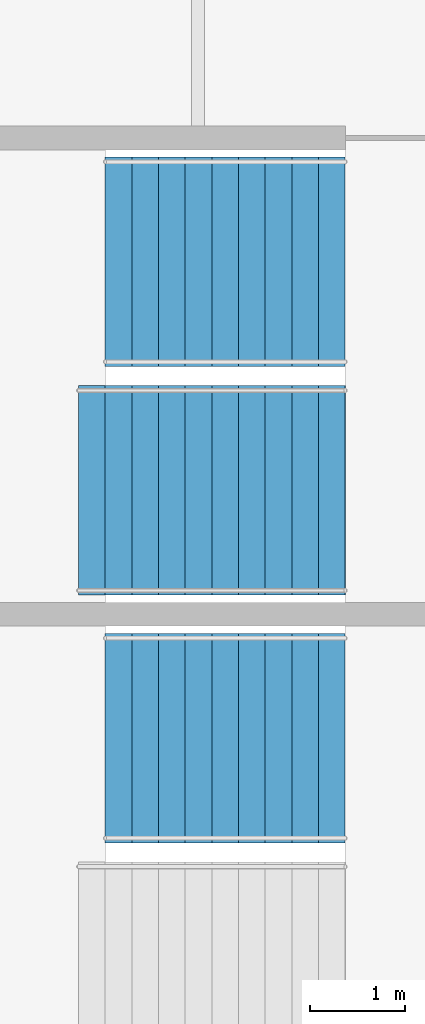
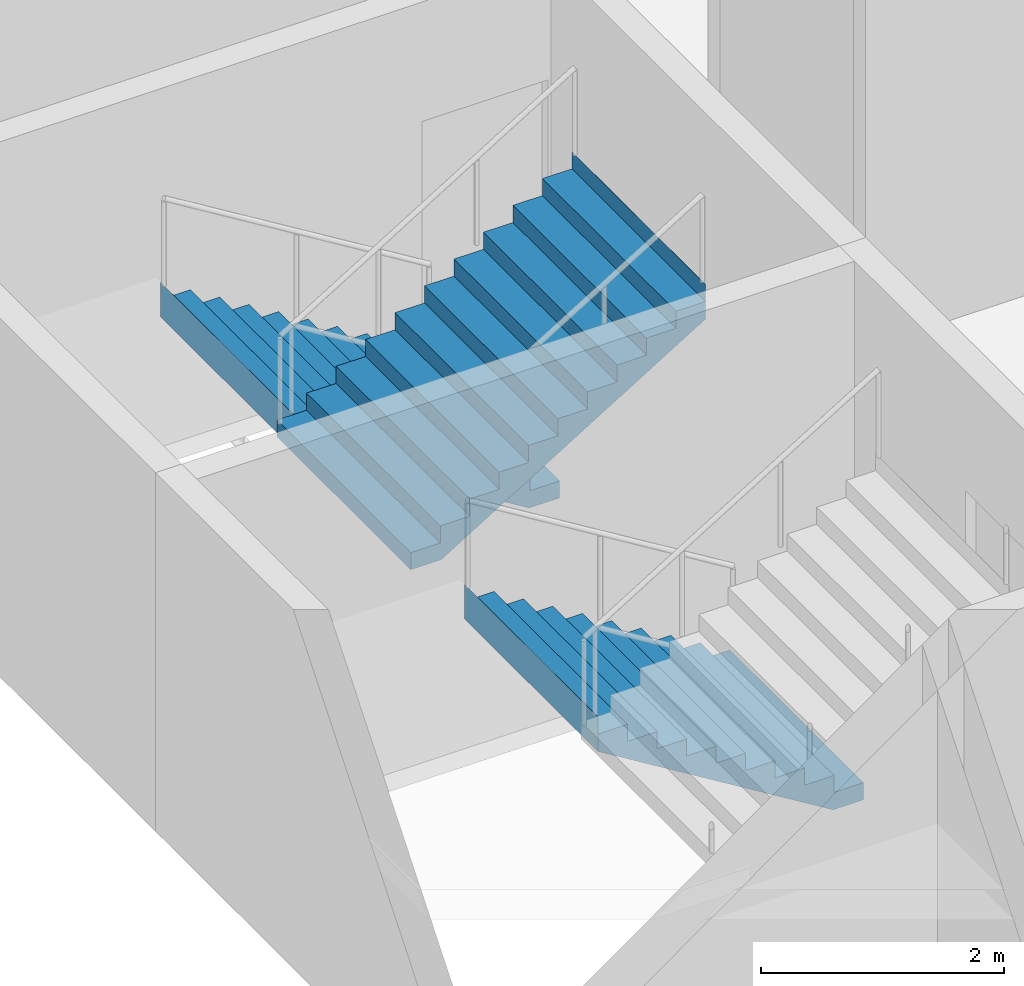
# One storey, part 63 of 90: 3 stair flights, 2 elements without a shape of their own.
"""IFC4 building model written with IfcOpenShell, lengths in metres."""

from ifc_helpers import new_model, si_unit, direction, frame, origin, place, context, subcontext, project, spatial, polyline, outline, extrude, material, type_object, element, aggregate, save


model = new_model("IFC4")

# Units and contexts
model_context = context("Model", 3, precision=1e-05, world=origin(), true_north=direction((0.0, 1.0)))
body_context = subcontext(model_context, "Body", "Model", "MODEL_VIEW")
ifc_project = project(units=[si_unit("LENGTHUNIT", "METRE"), si_unit("AREAUNIT", "SQUARE_METRE"), si_unit("VOLUMEUNIT", "CUBIC_METRE"), si_unit("PLANEANGLEUNIT", "RADIAN"), si_unit("MASSUNIT", "GRAM", prefix="KILO")], contexts=[model_context])

# Site, building, storey
site_placement = place(None, origin())
site = spatial("IfcSite", under=ifc_project, at=site_placement, CompositionType="ELEMENT")
building_placement = place(site_placement, origin())
building = spatial("IfcBuilding", under=site, at=building_placement, Name="Kupolbacken Congress Centre", CompositionType="ELEMENT")
storey_placement = place(building_placement, frame((0.0, 0.0, 3.60009765625)))
storey = spatial("IfcBuildingStorey", under=building, at=storey_placement, Name="L01", CompositionType="ELEMENT", Elevation=3.60009765625)

# Stair, stair flight
ifc_material_1 = material(Name="Concrete C30/37", Category="concrete")
stair_type = type_object("IfcStairType", Name="ST13 stair 2200", PredefinedType="TWO_STRAIGHT_RUN_STAIR", material=ifc_material_1)
stair_1_placement = place(storey_placement, origin())
stair_1 = element("IfcStair", 1, at=stair_1_placement, inside=storey, type_object=stair_type, Name="C/stair/PS1SW/L01", PredefinedType="NOTDEFINED")
ifc_material_2 = material(Name="Concrete C30/37", Category="concrete")
stair_flight_type_1 = type_object("IfcStairFlightType", Name="FL13 stair flight 2200 x 10 risers", PredefinedType="STRAIGHT", material=ifc_material_2)
stair_flight_1_placement = place(storey_placement, frame((12.344970703125, 54.10009765625, 0.0), z_axis=(0.0, 0.0, 1.0), x_axis=(-1.0, 0.0, 0.0)))
stair_flight_1 = element("IfcStairFlight", 2, at=stair_flight_1_placement, type_object=stair_flight_type_1, Name="PS1SW flight 1", NumberOfRisers=10, NumberOfTreads=9, PredefinedType="STRAIGHT", RiserHeight=0.171428571, TreadLength=0.28, context=body_context, shape_type="SweptSolid", body=[
    extrude(outline(polyline([(0.0, 0.0), (0.0, 0.0009765625), (0.0, 0.002197265625), (0.0, 0.003173828125), (0.0, 0.004150390625), (0.0, 0.00537109375), (0.0, 0.00634765625), (0.0, 0.007568359375), (0.0, 0.008544921875), (0.0, 0.009521484375), (0.0, 0.0107421875), (0.0, 0.01171875), (0.0, 0.0126953125), (0.0, 0.013916015625), (0.0, 0.014892578125), (0.0, 0.015869140625), (0.0, 0.01708984375), (0.0, 0.01806640625), (0.0, 0.019287109375), (0.0, 0.020263671875), (0.0, 0.021240234375), (0.0, 0.0224609375), (0.0, 0.0234375), (0.0, 0.0244140625), (0.0, 0.025634765625), (0.0, 0.026611328125), (0.0, 0.027587890625), (0.0, 0.02880859375), (0.0, 0.02978515625), (0.0, 0.03076171875), (0.0, 0.031982421875), (0.0, 0.032958984375), (0.0, 0.0341796875), (0.0, 0.03515625), (0.0, 0.0361328125), (0.0, 0.037353515625), (0.0, 0.038330078125), (0.0, 0.039306640625), (0.0, 0.04052734375), (0.0, 0.04150390625), (0.0, 0.04248046875), (0.0, 0.043701171875), (0.0, 0.044677734375), (0.0, 0.0458984375), (0.0, 0.046875), (0.0, 0.0478515625), (0.0, 0.049072265625), (0.0, 0.050048828125), (0.0, 0.051025390625), (0.0, 0.05224609375), (0.0, 0.05322265625), (0.0, 0.05419921875), (0.0, 0.055419921875), (0.0, 0.056396484375), (0.0, 0.0576171875), (0.0, 0.05859375), (0.0, 0.0595703125), (0.0, 0.060791015625), (0.0, 0.061767578125), (0.0, 0.062744140625), (0.0, 0.06396484375), (0.0, 0.06494140625), (0.0, 0.06591796875), (0.0, 0.067138671875), (0.0, 0.068115234375), (0.0, 0.069091796875), (0.0, 0.0703125), (0.0, 0.0712890625), (0.0, 0.072509765625), (0.0, 0.073486328125), (0.0, 0.074462890625), (0.0, 0.07568359375), (0.0, 0.07666015625), (0.0, 0.07763671875), (0.0, 0.078857421875), (0.0, 0.079833984375), (0.0, 0.080810546875), (0.0, 0.08203125), (0.0, 0.0830078125), (0.0, 0.084228515625), (0.0, 0.085205078125), (0.0, 0.086181640625), (0.0, 0.08740234375), (0.0, 0.08837890625), (0.0, 0.08935546875), (0.0, 0.090576171875), (0.0, 0.091552734375), (0.0, 0.092529296875), (0.0, 0.09375), (0.0, 0.0947265625), (0.0, 0.095947265625), (0.0, 0.096923828125), (0.0, 0.097900390625), (0.0, 0.09912109375), (0.0, 0.10009765625), (0.0, 0.10107421875), (0.0, 0.102294921875), (0.0, 0.103271484375), (0.0, 0.104248046875), (0.0, 0.10546875), (0.0, 0.1064453125), (0.0, 0.107421875), (0.0, 0.108642578125), (0.0, 0.109619140625), (0.0, 0.11083984375), (0.0, 0.11181640625), (0.0, 0.11279296875), (0.0, 0.114013671875), (0.0, 0.114990234375), (0.0, 0.115966796875), (0.0, 0.1171875), (0.0, 0.1181640625), (0.0, 0.119140625), (0.0, 0.120361328125), (0.0, 0.121337890625), (0.0, 0.12255859375), (0.0, 0.12353515625), (0.0, 0.12451171875), (0.0, 0.125732421875), (0.0, 0.126708984375), (0.0, 0.127685546875), (0.0, 0.12890625), (0.0, 0.1298828125), (0.0, 0.130859375), (0.0, 0.132080078125), (0.0, 0.133056640625), (0.0, 0.13427734375), (0.0, 0.13525390625), (0.0, 0.13623046875), (0.0, 0.137451171875), (0.0, 0.138427734375), (0.0, 0.139404296875), (0.0, 0.140625), (0.0, 0.1416015625), (0.0, 0.142578125), (0.0, 0.143798828125), (0.0, 0.144775390625), (0.0, 0.145751953125), (0.0, 0.14697265625), (0.0, 0.14794921875), (0.0, 0.149169921875), (0.0, 0.150146484375), (0.0, 0.151123046875), (0.0, 0.15234375), (0.0, 0.1533203125), (0.0, 0.154296875), (0.0, 0.155517578125), (0.0, 0.156494140625), (0.0, 0.157470703125), (0.0, 0.15869140625), (0.0, 0.15966796875), (0.0, 0.160888671875), (0.0, 0.161865234375), (0.0, 0.162841796875), (0.0, 0.1640625), (0.0, 0.1650390625), (0.0, 0.166015625), (0.0, 0.167236328125), (0.0, 0.168212890625), (0.0, 0.169189453125), (0.0, 0.17041015625), (0.0, 0.17138671875), (0.280029296875, 0.17138671875), (0.280029296875, 0.3427734375), (0.56005859375, 0.3427734375), (0.56005859375, 0.514404296875), (0.840087890625, 0.514404296875), (0.840087890625, 0.685791015625), (1.1201171875, 0.685791015625), (1.1201171875, 0.857177734375), (1.39990234375, 0.857177734375), (1.39990234375, 1.028564453125), (1.679931640625, 1.028564453125), (1.679931640625, 1.199951171875), (1.9599609375, 1.199951171875), (1.9599609375, 1.371337890625), (2.239990234375, 1.371337890625), (2.239990234375, 1.54296875), (2.52001953125, 1.54296875), (2.52001953125, 1.71435546875), (2.52197265625, 1.71435546875), (2.52197265625, 1.712158203125), (2.52197265625, 1.7099609375), (2.52197265625, 1.707763671875), (2.52197265625, 1.70556640625), (2.52197265625, 1.70361328125), (2.52197265625, 1.701416015625), (2.52197265625, 1.69921875), (2.52197265625, 1.697021484375), (2.52197265625, 1.69482421875), (2.52197265625, 1.692626953125), (2.52197265625, 1.690673828125), (2.52197265625, 1.6884765625), (2.52197265625, 1.686279296875), (2.52197265625, 1.68408203125), (2.52197265625, 1.681884765625), (2.52197265625, 1.6796875), (2.52197265625, 1.677734375), (2.52197265625, 1.675537109375), (2.52197265625, 1.67333984375), (2.52197265625, 1.671142578125), (2.52197265625, 1.6689453125), (2.52197265625, 1.666748046875), (2.52197265625, 1.664794921875), (2.52197265625, 1.66259765625), (2.52197265625, 1.660400390625), (2.52197265625, 1.658203125), (2.52197265625, 1.656005859375), (2.52197265625, 1.65380859375), (2.52197265625, 1.65185546875), (2.52197265625, 1.649658203125), (2.52197265625, 1.6474609375), (2.52197265625, 1.645263671875), (2.52197265625, 1.64306640625), (2.52197265625, 1.640869140625), (2.52197265625, 1.638916015625), (2.52197265625, 1.63671875), (2.52197265625, 1.634521484375), (2.52197265625, 1.63232421875), (2.52197265625, 1.630126953125), (2.52197265625, 1.6279296875), (2.52197265625, 1.6259765625), (2.52197265625, 1.623779296875), (2.52197265625, 1.62158203125), (2.52197265625, 1.619384765625), (2.52197265625, 1.6171875), (2.52197265625, 1.614990234375), (2.52197265625, 1.613037109375), (2.52197265625, 1.61083984375), (2.52197265625, 1.608642578125), (2.52197265625, 1.6064453125), (2.52197265625, 1.604248046875), (2.52197265625, 1.60205078125), (2.52197265625, 1.60009765625), (2.52197265625, 1.597900390625), (2.52197265625, 1.595703125), (2.52197265625, 1.593505859375), (2.52197265625, 1.59130859375), (2.52197265625, 1.589111328125), (2.52197265625, 1.587158203125), (2.52197265625, 1.5849609375), (2.52197265625, 1.582763671875), (2.52197265625, 1.58056640625), (2.52197265625, 1.578369140625), (2.52197265625, 1.576171875), (2.52197265625, 1.57421875), (2.52197265625, 1.572021484375), (2.52197265625, 1.56982421875), (2.52197265625, 1.567626953125), (2.52197265625, 1.5654296875), (2.52197265625, 1.563232421875), (2.52197265625, 1.561279296875), (2.52197265625, 1.55908203125), (2.52197265625, 1.556884765625), (2.52197265625, 1.5546875), (2.52197265625, 1.552490234375), (2.52197265625, 1.55029296875), (2.52197265625, 1.54833984375), (2.52197265625, 1.546142578125), (2.52197265625, 1.5439453125), (2.52197265625, 1.541748046875), (2.52197265625, 1.53955078125), (2.52197265625, 1.537353515625), (2.52197265625, 1.535400390625), (2.52197265625, 1.533203125), (2.52197265625, 1.531005859375), (2.52197265625, 1.52880859375), (2.52197265625, 1.526611328125), (2.52197265625, 1.5244140625), (2.52197265625, 1.5224609375), (2.52197265625, 1.520263671875), (2.52197265625, 1.51806640625), (2.52197265625, 1.515869140625), (2.52197265625, 1.513671875), (2.52197265625, 1.511474609375), (2.52197265625, 1.509521484375), (2.52197265625, 1.50732421875), (2.52197265625, 1.505126953125), (2.52197265625, 1.5029296875), (2.52197265625, 1.500732421875), (2.52197265625, 1.49853515625), (2.52197265625, 1.49658203125), (2.52197265625, 1.494384765625), (2.52197265625, 1.4921875), (2.52197265625, 1.489990234375), (2.52197265625, 1.48779296875), (2.52197265625, 1.485595703125), (2.52197265625, 1.483642578125), (2.52197265625, 1.4814453125), (2.52197265625, 1.479248046875), (2.52197265625, 1.47705078125), (2.52197265625, 1.474853515625), (2.52197265625, 1.47265625), (2.52197265625, 1.470703125), (2.52197265625, 1.468505859375), (2.52197265625, 1.46630859375), (2.52197265625, 1.464111328125), (2.52197265625, 1.4619140625), (2.52197265625, 1.459716796875), (2.52197265625, 1.457763671875), (2.52197265625, 1.45556640625), (2.52197265625, 1.453369140625), (2.52197265625, 1.451171875), (2.52197265625, 1.448974609375), (2.52197265625, 1.44677734375), (2.52197265625, 1.44482421875), (2.52197265625, 1.442626953125), (2.52197265625, 1.4404296875), (2.52197265625, 1.438232421875), (2.52197265625, 1.43603515625), (2.52197265625, 1.433837890625), (2.52197265625, 1.431884765625), (2.52197265625, 1.4296875), (2.52197265625, 1.427490234375), (2.52197265625, 1.42529296875), (2.52197265625, 1.423095703125), (2.52197265625, 1.4208984375), (2.52197265625, 1.4189453125), (2.52197265625, 1.416748046875), (2.52197265625, 1.41455078125), (2.52197265625, 1.412353515625), (2.52197265625, 1.41015625), (2.52197265625, 1.407958984375), (2.52197265625, 1.406005859375), (2.52197265625, 1.40380859375), (2.52197265625, 1.401611328125), (2.52197265625, 1.3994140625), (2.52197265625, 1.397216796875), (2.52197265625, 1.39501953125), (2.52197265625, 1.39306640625), (2.52197265625, 1.390869140625), (2.52197265625, 1.388671875), (2.52197265625, 1.386474609375), (2.52197265625, 1.38427734375), (2.52197265625, 1.382080078125), (2.52197265625, 1.380126953125), (2.52197265625, 1.3779296875), (2.52197265625, 1.375732421875), (2.52197265625, 1.37353515625), (2.52197265625, 1.371337890625), (2.52197265625, 1.369140625), (2.52197265625, 1.3671875), (0.2890625, 0.0), (0.0, 0.0)])), frame((0.0, 1.10009765625, 0.0), z_axis=(0.0, -1.0, 0.0), x_axis=(1.0, 0.0, 0.0)), (0.0, 0.0, 1.0), 2.199951171875),
])
aggregate(stair_1, [stair_flight_1])

# Stair, stair flights
stair_2_placement = place(storey_placement, origin())
stair_2 = element("IfcStair", 3, at=stair_2_placement, inside=storey, type_object=stair_type, Name="C/stair/PS2SW/L01", PredefinedType="NOTDEFINED")
stair_flight_2_placement = place(storey_placement, frame((12.344970703125, 59.10009765625, 0.0), z_axis=(0.0, 0.0, 1.0), x_axis=(-1.0, 0.0, 0.0)))
stair_flight_2 = element("IfcStairFlight", 4, at=stair_flight_2_placement, type_object=stair_flight_type_1, Name="PS2SW flight 1", NumberOfRisers=10, NumberOfTreads=9, PredefinedType="STRAIGHT", RiserHeight=0.171428571, TreadLength=0.28, context=body_context, shape_type="SweptSolid", body=[
    extrude(outline(polyline([(0.0, 0.0), (0.0, 0.0009765625), (0.0, 0.002197265625), (0.0, 0.003173828125), (0.0, 0.004150390625), (0.0, 0.00537109375), (0.0, 0.00634765625), (0.0, 0.007568359375), (0.0, 0.008544921875), (0.0, 0.009521484375), (0.0, 0.0107421875), (0.0, 0.01171875), (0.0, 0.0126953125), (0.0, 0.013916015625), (0.0, 0.014892578125), (0.0, 0.015869140625), (0.0, 0.01708984375), (0.0, 0.01806640625), (0.0, 0.019287109375), (0.0, 0.020263671875), (0.0, 0.021240234375), (0.0, 0.0224609375), (0.0, 0.0234375), (0.0, 0.0244140625), (0.0, 0.025634765625), (0.0, 0.026611328125), (0.0, 0.027587890625), (0.0, 0.02880859375), (0.0, 0.02978515625), (0.0, 0.03076171875), (0.0, 0.031982421875), (0.0, 0.032958984375), (0.0, 0.0341796875), (0.0, 0.03515625), (0.0, 0.0361328125), (0.0, 0.037353515625), (0.0, 0.038330078125), (0.0, 0.039306640625), (0.0, 0.04052734375), (0.0, 0.04150390625), (0.0, 0.04248046875), (0.0, 0.043701171875), (0.0, 0.044677734375), (0.0, 0.0458984375), (0.0, 0.046875), (0.0, 0.0478515625), (0.0, 0.049072265625), (0.0, 0.050048828125), (0.0, 0.051025390625), (0.0, 0.05224609375), (0.0, 0.05322265625), (0.0, 0.05419921875), (0.0, 0.055419921875), (0.0, 0.056396484375), (0.0, 0.0576171875), (0.0, 0.05859375), (0.0, 0.0595703125), (0.0, 0.060791015625), (0.0, 0.061767578125), (0.0, 0.062744140625), (0.0, 0.06396484375), (0.0, 0.06494140625), (0.0, 0.06591796875), (0.0, 0.067138671875), (0.0, 0.068115234375), (0.0, 0.069091796875), (0.0, 0.0703125), (0.0, 0.0712890625), (0.0, 0.072509765625), (0.0, 0.073486328125), (0.0, 0.074462890625), (0.0, 0.07568359375), (0.0, 0.07666015625), (0.0, 0.07763671875), (0.0, 0.078857421875), (0.0, 0.079833984375), (0.0, 0.080810546875), (0.0, 0.08203125), (0.0, 0.0830078125), (0.0, 0.084228515625), (0.0, 0.085205078125), (0.0, 0.086181640625), (0.0, 0.08740234375), (0.0, 0.08837890625), (0.0, 0.08935546875), (0.0, 0.090576171875), (0.0, 0.091552734375), (0.0, 0.092529296875), (0.0, 0.09375), (0.0, 0.0947265625), (0.0, 0.095947265625), (0.0, 0.096923828125), (0.0, 0.097900390625), (0.0, 0.09912109375), (0.0, 0.10009765625), (0.0, 0.10107421875), (0.0, 0.102294921875), (0.0, 0.103271484375), (0.0, 0.104248046875), (0.0, 0.10546875), (0.0, 0.1064453125), (0.0, 0.107421875), (0.0, 0.108642578125), (0.0, 0.109619140625), (0.0, 0.11083984375), (0.0, 0.11181640625), (0.0, 0.11279296875), (0.0, 0.114013671875), (0.0, 0.114990234375), (0.0, 0.115966796875), (0.0, 0.1171875), (0.0, 0.1181640625), (0.0, 0.119140625), (0.0, 0.120361328125), (0.0, 0.121337890625), (0.0, 0.12255859375), (0.0, 0.12353515625), (0.0, 0.12451171875), (0.0, 0.125732421875), (0.0, 0.126708984375), (0.0, 0.127685546875), (0.0, 0.12890625), (0.0, 0.1298828125), (0.0, 0.130859375), (0.0, 0.132080078125), (0.0, 0.133056640625), (0.0, 0.13427734375), (0.0, 0.13525390625), (0.0, 0.13623046875), (0.0, 0.137451171875), (0.0, 0.138427734375), (0.0, 0.139404296875), (0.0, 0.140625), (0.0, 0.1416015625), (0.0, 0.142578125), (0.0, 0.143798828125), (0.0, 0.144775390625), (0.0, 0.145751953125), (0.0, 0.14697265625), (0.0, 0.14794921875), (0.0, 0.149169921875), (0.0, 0.150146484375), (0.0, 0.151123046875), (0.0, 0.15234375), (0.0, 0.1533203125), (0.0, 0.154296875), (0.0, 0.155517578125), (0.0, 0.156494140625), (0.0, 0.157470703125), (0.0, 0.15869140625), (0.0, 0.15966796875), (0.0, 0.160888671875), (0.0, 0.161865234375), (0.0, 0.162841796875), (0.0, 0.1640625), (0.0, 0.1650390625), (0.0, 0.166015625), (0.0, 0.167236328125), (0.0, 0.168212890625), (0.0, 0.169189453125), (0.0, 0.17041015625), (0.0, 0.17138671875), (0.280029296875, 0.17138671875), (0.280029296875, 0.3427734375), (0.56005859375, 0.3427734375), (0.56005859375, 0.514404296875), (0.840087890625, 0.514404296875), (0.840087890625, 0.685791015625), (1.1201171875, 0.685791015625), (1.1201171875, 0.857177734375), (1.39990234375, 0.857177734375), (1.39990234375, 1.028564453125), (1.679931640625, 1.028564453125), (1.679931640625, 1.199951171875), (1.9599609375, 1.199951171875), (1.9599609375, 1.371337890625), (2.239990234375, 1.371337890625), (2.239990234375, 1.54296875), (2.52001953125, 1.54296875), (2.52001953125, 1.71435546875), (2.52197265625, 1.71435546875), (2.52197265625, 1.712158203125), (2.52197265625, 1.7099609375), (2.52197265625, 1.707763671875), (2.52197265625, 1.70556640625), (2.52197265625, 1.70361328125), (2.52197265625, 1.701416015625), (2.52197265625, 1.69921875), (2.52197265625, 1.697021484375), (2.52197265625, 1.69482421875), (2.52197265625, 1.692626953125), (2.52197265625, 1.690673828125), (2.52197265625, 1.6884765625), (2.52197265625, 1.686279296875), (2.52197265625, 1.68408203125), (2.52197265625, 1.681884765625), (2.52197265625, 1.6796875), (2.52197265625, 1.677734375), (2.52197265625, 1.675537109375), (2.52197265625, 1.67333984375), (2.52197265625, 1.671142578125), (2.52197265625, 1.6689453125), (2.52197265625, 1.666748046875), (2.52197265625, 1.664794921875), (2.52197265625, 1.66259765625), (2.52197265625, 1.660400390625), (2.52197265625, 1.658203125), (2.52197265625, 1.656005859375), (2.52197265625, 1.65380859375), (2.52197265625, 1.65185546875), (2.52197265625, 1.649658203125), (2.52197265625, 1.6474609375), (2.52197265625, 1.645263671875), (2.52197265625, 1.64306640625), (2.52197265625, 1.640869140625), (2.52197265625, 1.638916015625), (2.52197265625, 1.63671875), (2.52197265625, 1.634521484375), (2.52197265625, 1.63232421875), (2.52197265625, 1.630126953125), (2.52197265625, 1.6279296875), (2.52197265625, 1.6259765625), (2.52197265625, 1.623779296875), (2.52197265625, 1.62158203125), (2.52197265625, 1.619384765625), (2.52197265625, 1.6171875), (2.52197265625, 1.614990234375), (2.52197265625, 1.613037109375), (2.52197265625, 1.61083984375), (2.52197265625, 1.608642578125), (2.52197265625, 1.6064453125), (2.52197265625, 1.604248046875), (2.52197265625, 1.60205078125), (2.52197265625, 1.60009765625), (2.52197265625, 1.597900390625), (2.52197265625, 1.595703125), (2.52197265625, 1.593505859375), (2.52197265625, 1.59130859375), (2.52197265625, 1.589111328125), (2.52197265625, 1.587158203125), (2.52197265625, 1.5849609375), (2.52197265625, 1.582763671875), (2.52197265625, 1.58056640625), (2.52197265625, 1.578369140625), (2.52197265625, 1.576171875), (2.52197265625, 1.57421875), (2.52197265625, 1.572021484375), (2.52197265625, 1.56982421875), (2.52197265625, 1.567626953125), (2.52197265625, 1.5654296875), (2.52197265625, 1.563232421875), (2.52197265625, 1.561279296875), (2.52197265625, 1.55908203125), (2.52197265625, 1.556884765625), (2.52197265625, 1.5546875), (2.52197265625, 1.552490234375), (2.52197265625, 1.55029296875), (2.52197265625, 1.54833984375), (2.52197265625, 1.546142578125), (2.52197265625, 1.5439453125), (2.52197265625, 1.541748046875), (2.52197265625, 1.53955078125), (2.52197265625, 1.537353515625), (2.52197265625, 1.535400390625), (2.52197265625, 1.533203125), (2.52197265625, 1.531005859375), (2.52197265625, 1.52880859375), (2.52197265625, 1.526611328125), (2.52197265625, 1.5244140625), (2.52197265625, 1.5224609375), (2.52197265625, 1.520263671875), (2.52197265625, 1.51806640625), (2.52197265625, 1.515869140625), (2.52197265625, 1.513671875), (2.52197265625, 1.511474609375), (2.52197265625, 1.509521484375), (2.52197265625, 1.50732421875), (2.52197265625, 1.505126953125), (2.52197265625, 1.5029296875), (2.52197265625, 1.500732421875), (2.52197265625, 1.49853515625), (2.52197265625, 1.49658203125), (2.52197265625, 1.494384765625), (2.52197265625, 1.4921875), (2.52197265625, 1.489990234375), (2.52197265625, 1.48779296875), (2.52197265625, 1.485595703125), (2.52197265625, 1.483642578125), (2.52197265625, 1.4814453125), (2.52197265625, 1.479248046875), (2.52197265625, 1.47705078125), (2.52197265625, 1.474853515625), (2.52197265625, 1.47265625), (2.52197265625, 1.470703125), (2.52197265625, 1.468505859375), (2.52197265625, 1.46630859375), (2.52197265625, 1.464111328125), (2.52197265625, 1.4619140625), (2.52197265625, 1.459716796875), (2.52197265625, 1.457763671875), (2.52197265625, 1.45556640625), (2.52197265625, 1.453369140625), (2.52197265625, 1.451171875), (2.52197265625, 1.448974609375), (2.52197265625, 1.44677734375), (2.52197265625, 1.44482421875), (2.52197265625, 1.442626953125), (2.52197265625, 1.4404296875), (2.52197265625, 1.438232421875), (2.52197265625, 1.43603515625), (2.52197265625, 1.433837890625), (2.52197265625, 1.431884765625), (2.52197265625, 1.4296875), (2.52197265625, 1.427490234375), (2.52197265625, 1.42529296875), (2.52197265625, 1.423095703125), (2.52197265625, 1.4208984375), (2.52197265625, 1.4189453125), (2.52197265625, 1.416748046875), (2.52197265625, 1.41455078125), (2.52197265625, 1.412353515625), (2.52197265625, 1.41015625), (2.52197265625, 1.407958984375), (2.52197265625, 1.406005859375), (2.52197265625, 1.40380859375), (2.52197265625, 1.401611328125), (2.52197265625, 1.3994140625), (2.52197265625, 1.397216796875), (2.52197265625, 1.39501953125), (2.52197265625, 1.39306640625), (2.52197265625, 1.390869140625), (2.52197265625, 1.388671875), (2.52197265625, 1.386474609375), (2.52197265625, 1.38427734375), (2.52197265625, 1.382080078125), (2.52197265625, 1.380126953125), (2.52197265625, 1.3779296875), (2.52197265625, 1.375732421875), (2.52197265625, 1.37353515625), (2.52197265625, 1.371337890625), (2.52197265625, 1.369140625), (2.52197265625, 1.3671875), (0.2890625, 0.0), (0.0, 0.0)])), frame((0.0, 1.10009765625, 0.0), z_axis=(0.0, -1.0, 0.0), x_axis=(1.0, 0.0, 0.0)), (0.0, 0.0, 1.0), 2.199951171875),
])
ifc_material_3 = material(Name="Concrete C30/37", Category="concrete")
stair_flight_type_2 = type_object("IfcStairFlightType", Name="FL14 stair flight 2200 x 11 risers", PredefinedType="STRAIGHT", material=ifc_material_3)
stair_flight_3_placement = place(storey_placement, frame((9.544921875, 56.699951171875, 1.714111328125), z_axis=(0.0, 0.0, 1.0), x_axis=(1.0, 0.0, 0.0)))
stair_flight_3 = element("IfcStairFlight", 5, at=stair_flight_3_placement, type_object=stair_flight_type_2, Name="PS2SW flight 2", NumberOfRisers=11, NumberOfTreads=10, PredefinedType="STRAIGHT", RiserHeight=0.171428571, TreadLength=0.28, context=body_context, shape_type="SweptSolid", body=[
    extrude(outline(polyline([(0.0, 0.0), (0.0, 0.0009765625), (0.0, 0.002197265625), (0.0, 0.003173828125), (0.0, 0.004150390625), (0.0, 0.00537109375), (0.0, 0.00634765625), (0.0, 0.007568359375), (0.0, 0.008544921875), (0.0, 0.009521484375), (0.0, 0.0107421875), (0.0, 0.01171875), (0.0, 0.0126953125), (0.0, 0.013916015625), (0.0, 0.014892578125), (0.0, 0.015869140625), (0.0, 0.01708984375), (0.0, 0.01806640625), (0.0, 0.019287109375), (0.0, 0.020263671875), (0.0, 0.021240234375), (0.0, 0.0224609375), (0.0, 0.0234375), (0.0, 0.0244140625), (0.0, 0.025634765625), (0.0, 0.026611328125), (0.0, 0.027587890625), (0.0, 0.02880859375), (0.0, 0.02978515625), (0.0, 0.03076171875), (0.0, 0.031982421875), (0.0, 0.032958984375), (0.0, 0.0341796875), (0.0, 0.03515625), (0.0, 0.0361328125), (0.0, 0.037353515625), (0.0, 0.038330078125), (0.0, 0.039306640625), (0.0, 0.04052734375), (0.0, 0.04150390625), (0.0, 0.04248046875), (0.0, 0.043701171875), (0.0, 0.044677734375), (0.0, 0.0458984375), (0.0, 0.046875), (0.0, 0.0478515625), (0.0, 0.049072265625), (0.0, 0.050048828125), (0.0, 0.051025390625), (0.0, 0.05224609375), (0.0, 0.05322265625), (0.0, 0.05419921875), (0.0, 0.055419921875), (0.0, 0.056396484375), (0.0, 0.0576171875), (0.0, 0.05859375), (0.0, 0.0595703125), (0.0, 0.060791015625), (0.0, 0.061767578125), (0.0, 0.062744140625), (0.0, 0.06396484375), (0.0, 0.06494140625), (0.0, 0.06591796875), (0.0, 0.067138671875), (0.0, 0.068115234375), (0.0, 0.069091796875), (0.0, 0.0703125), (0.0, 0.0712890625), (0.0, 0.072509765625), (0.0, 0.073486328125), (0.0, 0.074462890625), (0.0, 0.07568359375), (0.0, 0.07666015625), (0.0, 0.07763671875), (0.0, 0.078857421875), (0.0, 0.079833984375), (0.0, 0.080810546875), (0.0, 0.08203125), (0.0, 0.0830078125), (0.0, 0.084228515625), (0.0, 0.085205078125), (0.0, 0.086181640625), (0.0, 0.08740234375), (0.0, 0.08837890625), (0.0, 0.08935546875), (0.0, 0.090576171875), (0.0, 0.091552734375), (0.0, 0.092529296875), (0.0, 0.09375), (0.0, 0.0947265625), (0.0, 0.095947265625), (0.0, 0.096923828125), (0.0, 0.097900390625), (0.0, 0.09912109375), (0.0, 0.10009765625), (0.0, 0.10107421875), (0.0, 0.102294921875), (0.0, 0.103271484375), (0.0, 0.104248046875), (0.0, 0.10546875), (0.0, 0.1064453125), (0.0, 0.107421875), (0.0, 0.108642578125), (0.0, 0.109619140625), (0.0, 0.11083984375), (0.0, 0.11181640625), (0.0, 0.11279296875), (0.0, 0.114013671875), (0.0, 0.114990234375), (0.0, 0.115966796875), (0.0, 0.1171875), (0.0, 0.1181640625), (0.0, 0.119140625), (0.0, 0.120361328125), (0.0, 0.121337890625), (0.0, 0.12255859375), (0.0, 0.12353515625), (0.0, 0.12451171875), (0.0, 0.125732421875), (0.0, 0.126708984375), (0.0, 0.127685546875), (0.0, 0.12890625), (0.0, 0.1298828125), (0.0, 0.130859375), (0.0, 0.132080078125), (0.0, 0.133056640625), (0.0, 0.13427734375), (0.0, 0.13525390625), (0.0, 0.13623046875), (0.0, 0.137451171875), (0.0, 0.138427734375), (0.0, 0.139404296875), (0.0, 0.140625), (0.0, 0.1416015625), (0.0, 0.142578125), (0.0, 0.143798828125), (0.0, 0.144775390625), (0.0, 0.145751953125), (0.0, 0.14697265625), (0.0, 0.14794921875), (0.0, 0.149169921875), (0.0, 0.150146484375), (0.0, 0.151123046875), (0.0, 0.15234375), (0.0, 0.1533203125), (0.0, 0.154296875), (0.0, 0.155517578125), (0.0, 0.156494140625), (0.0, 0.157470703125), (0.0, 0.15869140625), (0.0, 0.15966796875), (0.0, 0.160888671875), (0.0, 0.161865234375), (0.0, 0.162841796875), (0.0, 0.1640625), (0.0, 0.1650390625), (0.0, 0.166015625), (0.0, 0.167236328125), (0.0, 0.168212890625), (0.0, 0.169189453125), (0.0, 0.17041015625), (0.0, 0.17138671875), (0.280029296875, 0.17138671875), (0.280029296875, 0.3427734375), (0.56005859375, 0.3427734375), (0.56005859375, 0.514404296875), (0.840087890625, 0.514404296875), (0.840087890625, 0.685791015625), (1.1201171875, 0.685791015625), (1.1201171875, 0.857177734375), (1.39990234375, 0.857177734375), (1.39990234375, 1.028564453125), (1.679931640625, 1.028564453125), (1.679931640625, 1.199951171875), (1.9599609375, 1.199951171875), (1.9599609375, 1.371337890625), (2.239990234375, 1.371337890625), (2.239990234375, 1.54296875), (2.52001953125, 1.54296875), (2.52001953125, 1.71435546875), (2.800048828125, 1.71435546875), (2.800048828125, 1.8857421875), (2.802001953125, 1.8857421875), (2.802001953125, 1.883544921875), (2.802001953125, 1.88134765625), (2.802001953125, 1.879150390625), (2.802001953125, 1.877197265625), (2.802001953125, 1.875), (2.802001953125, 1.872802734375), (2.802001953125, 1.87060546875), (2.802001953125, 1.868408203125), (2.802001953125, 1.8662109375), (2.802001953125, 1.8642578125), (2.802001953125, 1.862060546875), (2.802001953125, 1.85986328125), (2.802001953125, 1.857666015625), (2.802001953125, 1.85546875), (2.802001953125, 1.853271484375), (2.802001953125, 1.851318359375), (2.802001953125, 1.84912109375), (2.802001953125, 1.846923828125), (2.802001953125, 1.8447265625), (2.802001953125, 1.842529296875), (2.802001953125, 1.84033203125), (2.802001953125, 1.83837890625), (2.802001953125, 1.836181640625), (2.802001953125, 1.833984375), (2.802001953125, 1.831787109375), (2.802001953125, 1.82958984375), (2.802001953125, 1.827392578125), (2.802001953125, 1.825439453125), (2.802001953125, 1.8232421875), (2.802001953125, 1.821044921875), (2.802001953125, 1.81884765625), (2.802001953125, 1.816650390625), (2.802001953125, 1.814453125), (2.802001953125, 1.8125), (2.802001953125, 1.810302734375), (2.802001953125, 1.80810546875), (2.802001953125, 1.805908203125), (2.802001953125, 1.8037109375), (2.802001953125, 1.801513671875), (2.802001953125, 1.799560546875), (2.802001953125, 1.79736328125), (2.802001953125, 1.795166015625), (2.802001953125, 1.79296875), (2.802001953125, 1.790771484375), (2.802001953125, 1.78857421875), (2.802001953125, 1.78662109375), (2.802001953125, 1.784423828125), (2.802001953125, 1.7822265625), (2.802001953125, 1.780029296875), (2.802001953125, 1.77783203125), (2.802001953125, 1.775634765625), (2.802001953125, 1.773681640625), (2.802001953125, 1.771484375), (2.802001953125, 1.769287109375), (2.802001953125, 1.76708984375), (2.802001953125, 1.764892578125), (2.802001953125, 1.7626953125), (2.802001953125, 1.7607421875), (2.802001953125, 1.758544921875), (2.802001953125, 1.75634765625), (2.802001953125, 1.754150390625), (2.802001953125, 1.751953125), (2.802001953125, 1.749755859375), (2.802001953125, 1.747802734375), (2.802001953125, 1.74560546875), (2.802001953125, 1.743408203125), (2.802001953125, 1.7412109375), (2.802001953125, 1.739013671875), (2.802001953125, 1.73681640625), (2.802001953125, 1.73486328125), (2.802001953125, 1.732666015625), (2.802001953125, 1.73046875), (2.802001953125, 1.728271484375), (2.802001953125, 1.72607421875), (2.802001953125, 1.723876953125), (2.802001953125, 1.721923828125), (2.802001953125, 1.7197265625), (2.802001953125, 1.717529296875), (2.802001953125, 1.71533203125), (2.802001953125, 1.713134765625), (2.802001953125, 1.7109375), (2.802001953125, 1.708984375), (2.802001953125, 1.706787109375), (2.802001953125, 1.70458984375), (2.802001953125, 1.702392578125), (2.802001953125, 1.7001953125), (2.802001953125, 1.697998046875), (2.802001953125, 1.696044921875), (2.802001953125, 1.69384765625), (2.802001953125, 1.691650390625), (2.802001953125, 1.689453125), (2.802001953125, 1.687255859375), (2.802001953125, 1.68505859375), (2.802001953125, 1.68310546875), (2.802001953125, 1.680908203125), (2.802001953125, 1.6787109375), (2.802001953125, 1.676513671875), (2.802001953125, 1.67431640625), (2.802001953125, 1.672119140625), (2.802001953125, 1.670166015625), (2.802001953125, 1.66796875), (2.802001953125, 1.665771484375), (2.802001953125, 1.66357421875), (2.802001953125, 1.661376953125), (2.802001953125, 1.6591796875), (2.802001953125, 1.6572265625), (2.802001953125, 1.655029296875), (2.802001953125, 1.65283203125), (2.802001953125, 1.650634765625), (2.802001953125, 1.6484375), (2.802001953125, 1.646240234375), (2.802001953125, 1.644287109375), (2.802001953125, 1.64208984375), (2.802001953125, 1.639892578125), (2.802001953125, 1.6376953125), (2.802001953125, 1.635498046875), (2.802001953125, 1.63330078125), (2.802001953125, 1.63134765625), (2.802001953125, 1.629150390625), (2.802001953125, 1.626953125), (2.802001953125, 1.624755859375), (2.802001953125, 1.62255859375), (2.802001953125, 1.620361328125), (2.802001953125, 1.618408203125), (2.802001953125, 1.6162109375), (2.802001953125, 1.614013671875), (2.802001953125, 1.61181640625), (2.802001953125, 1.609619140625), (2.802001953125, 1.607421875), (2.802001953125, 1.60546875), (2.802001953125, 1.603271484375), (2.802001953125, 1.60107421875), (2.802001953125, 1.598876953125), (2.802001953125, 1.5966796875), (2.802001953125, 1.594482421875), (2.802001953125, 1.592529296875), (2.802001953125, 1.59033203125), (2.802001953125, 1.588134765625), (2.802001953125, 1.5859375), (2.802001953125, 1.583740234375), (2.802001953125, 1.58154296875), (2.802001953125, 1.57958984375), (2.802001953125, 1.577392578125), (2.802001953125, 1.5751953125), (2.802001953125, 1.572998046875), (2.802001953125, 1.57080078125), (2.802001953125, 1.568603515625), (2.802001953125, 1.566650390625), (2.802001953125, 1.564453125), (2.802001953125, 1.562255859375), (2.802001953125, 1.56005859375), (2.802001953125, 1.557861328125), (2.802001953125, 1.5556640625), (2.802001953125, 1.5537109375), (2.802001953125, 1.551513671875), (2.802001953125, 1.54931640625), (2.802001953125, 1.547119140625), (2.802001953125, 1.544921875), (2.802001953125, 1.542724609375), (2.802001953125, 1.540771484375), (2.802001953125, 1.53857421875), (0.2890625, 0.0), (0.0, 0.0)])), frame((0.0, 1.10009765625, 0.0), z_axis=(0.0, -1.0, 0.0), x_axis=(1.0, 0.0, 0.0)), (0.0, 0.0, 1.0), 2.199951171875),
])
aggregate(stair_2, [stair_flight_2, stair_flight_3])

save(model, "model.ifc")
